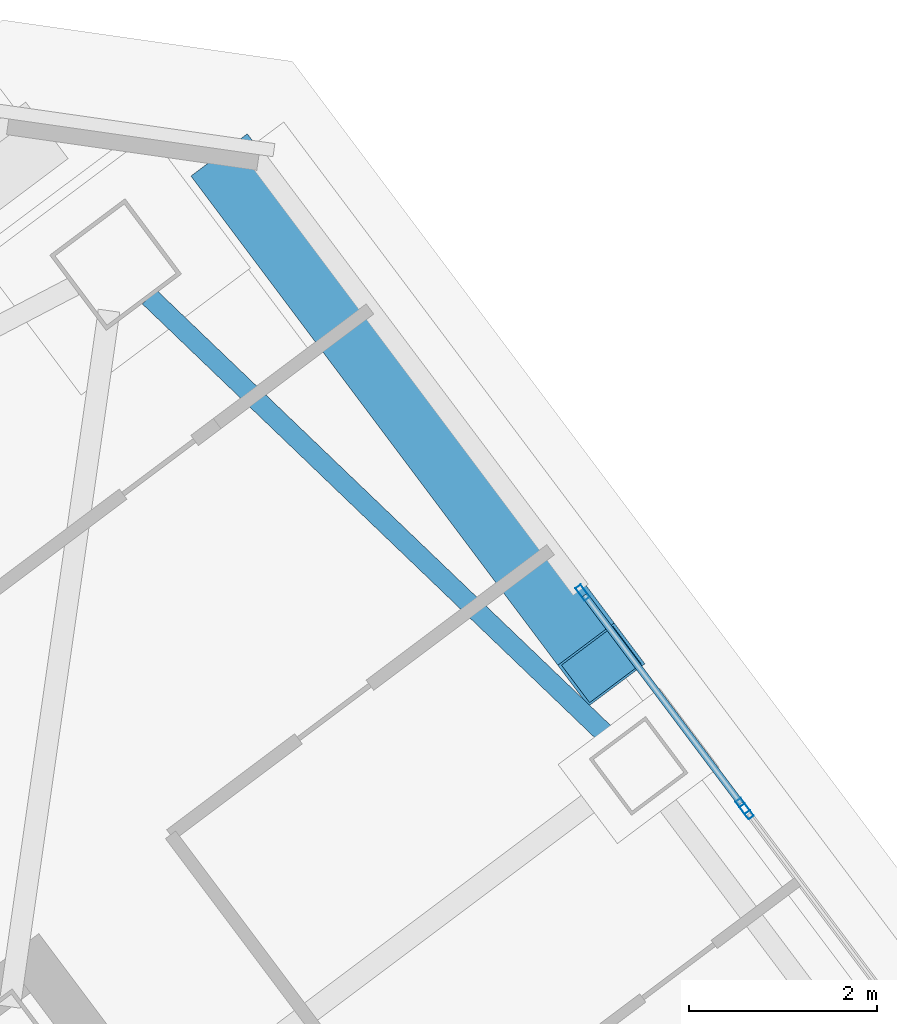
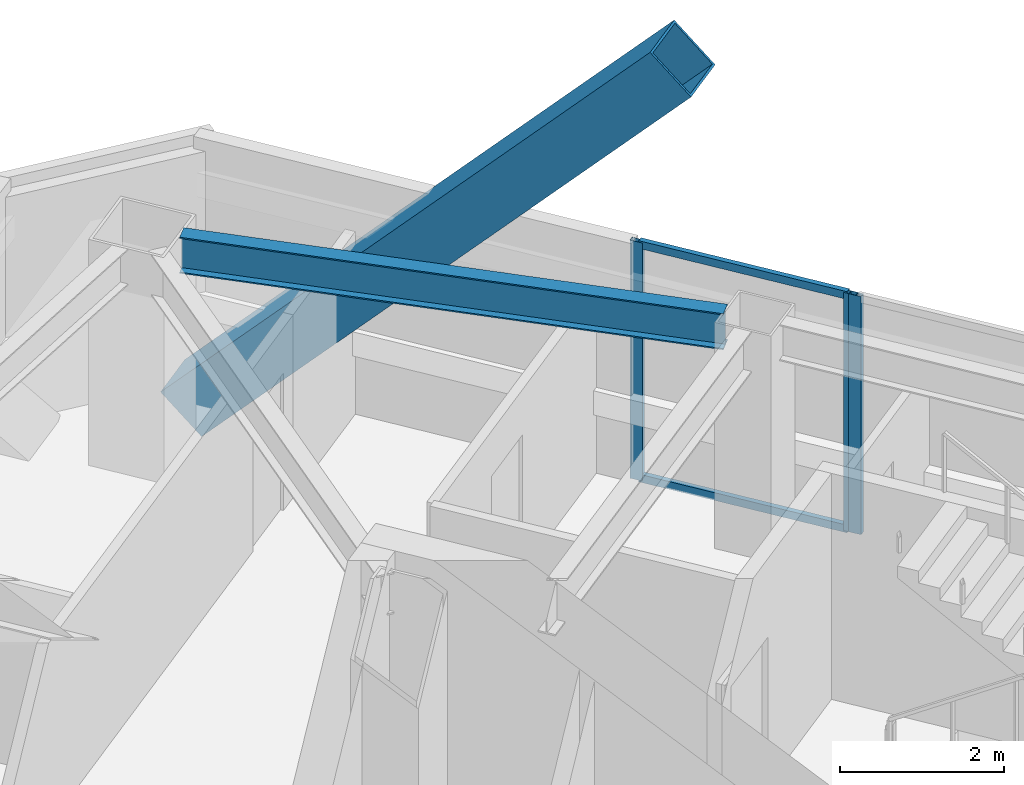
# One storey, part 28 of 39: 6 members, 1 beam, 2 elements without a shape of their own.
"""IFC4 building model written with IfcOpenShell, lengths in metres."""

import ifcopenshell
import ifcopenshell.guid

model = None  # the IFC model being written
_history = None  # IfcOwnerHistory: only IFC2X3 demands one
_inside = {}  # id of a spatial element -> (the spatial element, [elements in it])
_under = {}  # id of a project, library or spatial element -> (it, [spatial elements below it])
_declared = {}  # id of a project -> (the project, [libraries it declares])
_typed = {}  # id of a type object -> (the type object, [elements of that type])
_made_of = {}  # id of a material, layer set ... -> (it, [elements and type objects made of it])


def new_model(schema):
    """Start an empty IFC model of exactly this schema.

    Asked for "IFC4X3", IfcOpenShell would pick the latest addendum, in which some entities
    have other attributes; the version numbers below select the first issue.
    IFC2X3 requires an IfcOwnerHistory on every rooted entity: one is made here for all.
    """
    global model, _history
    if schema == "IFC4X3":
        model = ifcopenshell.file(schema_version=(4, 3, 0, 0))
    else:
        model = ifcopenshell.file(schema=schema)
    _inside.clear()
    _under.clear()
    _declared.clear()
    _typed.clear()
    _made_of.clear()
    _history = None
    if model.schema == "IFC2X3":
        org = make("IfcOrganization", Name="unknown")
        user = make(
            "IfcPersonAndOrganization",
            ThePerson=make("IfcPerson", FamilyName="unknown"),
            TheOrganization=org,
        )
        app = make(
            "IfcApplication",
            ApplicationDeveloper=org,
            Version="unknown",
            ApplicationFullName="unknown",
            ApplicationIdentifier="unknown",
        )
        _history = make(
            "IfcOwnerHistory",
            OwningUser=user,
            OwningApplication=app,
            ChangeAction="ADDED",
            CreationDate=0,
        )
    return model


def make(cls, **values):
    """One entity of the class cls with the attributes given. An attribute that is None is left unset."""
    return model.create_entity(
        cls, **{name: value for name, value in values.items() if value is not None}
    )


def rooted(cls, **values):
    """An entity with a GlobalId (a new one), such as an element, a storey or a relation."""
    return make(cls, GlobalId=ifcopenshell.guid.new(), OwnerHistory=_history, **values)


def si_unit(unit_type, name, prefix=None):
    """IfcSIUnit, for example si_unit("LENGTHUNIT", "METRE", prefix="MILLI")."""
    return make("IfcSIUnit", UnitType=unit_type, Prefix=prefix, Name=name)


def assignment(units):
    """IfcUnitAssignment: the units of a project."""
    return None if units is None else make("IfcUnitAssignment", Units=units)


def point(xyz):
    """IfcCartesianPoint."""
    return None if xyz is None else make("IfcCartesianPoint", Coordinates=xyz)


def direction(xyz):
    """IfcDirection."""
    return None if xyz is None else make("IfcDirection", DirectionRatios=xyz)


def frame(location, z_axis=None, x_axis=None):
    """IfcAxis2Placement3D, a coordinate frame: its origin and axes. An axis left out is left unset."""
    return make(
        "IfcAxis2Placement3D",
        Location=point(location),
        Axis=direction(z_axis),
        RefDirection=direction(x_axis),
    )


def frame_2d(location, x_axis=None):
    """IfcAxis2Placement2D, a coordinate frame in the plane: its origin and x axis."""
    return make(
        "IfcAxis2Placement2D", Location=point(location), RefDirection=direction(x_axis)
    )


def origin():
    """The frame at (0, 0, 0) with its axes left unset."""
    return frame((0.0, 0.0, 0.0))


def origin_2d():
    """The frame at (0, 0) in the plane with its x axis left unset."""
    return frame_2d((0.0, 0.0))


def place(relative_to, where):
    """IfcLocalPlacement: puts the frame where relative to a parent placement (None: the world)."""
    return make(
        "IfcLocalPlacement", PlacementRelTo=relative_to, RelativePlacement=where
    )


def context(
    kind, dimensions, precision=None, world=None, true_north=None, identifier=None
):
    """IfcGeometricRepresentationContext, for example the 3D "Model" context."""
    return make(
        "IfcGeometricRepresentationContext",
        ContextIdentifier=identifier,
        ContextType=kind,
        CoordinateSpaceDimension=dimensions,
        Precision=precision,
        WorldCoordinateSystem=world,
        TrueNorth=true_north,
    )


def subcontext(parent, identifier, kind, view, scale=None):
    """IfcGeometricRepresentationSubContext, for example "Body" below "Model"."""
    return make(
        "IfcGeometricRepresentationSubContext",
        ContextIdentifier=identifier,
        ContextType=kind,
        ParentContext=parent,
        TargetScale=scale,
        TargetView=view,
    )


def project(units=None, contexts=None):
    """IfcProject with its units and contexts."""
    return rooted(
        "IfcProject",
        Name="project",
        RepresentationContexts=contexts,
        UnitsInContext=assignment(units),
    )


def spatial(cls, under=None, at=None, **own):
    """A site, building, storey or space (cls), placed at a placement, below another one or the project."""
    s = rooted(cls, ObjectPlacement=at, **own)
    if under is not None:
        _under.setdefault(under.id(), (under, []))[1].append(s)
    return s


def profile(cls, at=None, kind="AREA", **sizes):
    """A parametric profile (cls). Its sizes go by their IFC names, for example OverallWidth=200.0."""
    return make(cls, ProfileType=kind, Position=at, **sizes)


def hollow_rectangle(**sizes):
    """IfcRectangleHollowProfileDef."""
    return profile("IfcRectangleHollowProfileDef", **sizes)


def i_section(**sizes):
    """IfcIShapeProfileDef."""
    return profile("IfcIShapeProfileDef", **sizes)


def extrude(swept, where, along, depth):
    """IfcExtrudedAreaSolid: the profile swept, set in the frame where, extruded along a direction by depth."""
    return make(
        "IfcExtrudedAreaSolid",
        SweptArea=swept,
        Position=where,
        ExtrudedDirection=direction(along),
        Depth=depth,
    )


def shape(context_of_items, identifier, shape_type, items):
    """IfcShapeRepresentation: the items that make up one representation, for example the "Body"."""
    return make(
        "IfcShapeRepresentation",
        ContextOfItems=context_of_items,
        RepresentationIdentifier=identifier,
        RepresentationType=shape_type,
        Items=items,
    )


def material(Name=None, Category=None):
    """IfcMaterial."""
    return make("IfcMaterial", Name=Name, Category=Category)


def material_profile(
    of_material, cross_section, Name=None, Category=None, Priority=None
):
    """IfcMaterialProfile: a cross section and its material."""
    return make(
        "IfcMaterialProfile",
        Name=Name,
        Material=of_material,
        Profile=cross_section,
        Priority=Priority,
        Category=Category,
    )


def profile_set(profiles, Name=None, composite=None):
    """IfcMaterialProfileSet."""
    return make(
        "IfcMaterialProfileSet",
        Name=Name,
        MaterialProfiles=profiles,
        CompositeProfile=composite,
    )


def made_of(thing, what):
    """Note that an element or type object is made of a material, layer set ...; save() writes the relation."""
    if what is not None:
        _made_of.setdefault(what.id(), (what, []))[1].append(thing)
    return thing


def type_object(cls, material=None, **own):
    """A type object (cls), such as IfcWallType, which elements share."""
    return made_of(rooted(cls, **own), material)


def element(
    cls,
    number,
    at=None,
    inside=None,
    cuts=None,
    type_object=None,
    material=None,
    context=None,
    identifier="Body",
    shape_type=None,
    held_by="IfcProductDefinitionShape",
    body=None,
    shapes=None,
    **own,
):
    """One element of the class cls, such as IfcWall. Its Tag is "e" and its number.

    at: its placement. inside: the storey or other place that contains it. cuts: it is an
    opening in that element (IfcRelVoidsElement). A single representation is given by context,
    identifier, shape_type and body (its items); several are given by shapes. held_by: the class
    of the entity that holds the representations. save() writes the other relations.
    """
    e = rooted(cls, Tag="e%d" % number, ObjectPlacement=at, **own)
    if body is not None:
        shapes = [shape(context, identifier, shape_type, body)]
    if shapes is not None:
        e.Representation = make(held_by, Representations=shapes)
    if inside is not None:
        _inside.setdefault(inside.id(), (inside, []))[1].append(e)
    if cuts is not None:
        rooted(
            "IfcRelVoidsElement", RelatingBuildingElement=cuts, RelatedOpeningElement=e
        )
    if type_object is not None:
        _typed.setdefault(type_object.id(), (type_object, []))[1].append(e)
    return made_of(e, material)


def aggregate(whole, parts):
    """IfcRelAggregates: a whole, such as a stair, and the parts it consists of."""
    return rooted("IfcRelAggregates", RelatingObject=whole, RelatedObjects=parts)


def save(model, path):
    """Write the relations noted so far, then the file.

    IfcRelAggregates (storeys below a building ...), IfcRelContainedInSpatialStructure (elements
    in a storey), IfcRelDefinesByType, IfcRelAssociatesMaterial and IfcRelDeclares: one each for
    every whole, place, type object, material and project.
    """
    for whole, parts in _under.values():
        aggregate(whole, parts)
    for where, things in _inside.values():
        rooted(
            "IfcRelContainedInSpatialStructure",
            RelatedElements=things,
            RelatingStructure=where,
        )
    for kind, things in _typed.values():
        rooted("IfcRelDefinesByType", RelatedObjects=things, RelatingType=kind)
    for what, things in _made_of.values():
        rooted("IfcRelAssociatesMaterial", RelatedObjects=things, RelatingMaterial=what)
    for by, libraries in _declared.values():
        rooted("IfcRelDeclares", RelatingContext=by, RelatedDefinitions=libraries)
    model.write(path)


model = new_model("IFC4")

# Units and contexts
model_context = context("Model", 3, precision=1e-05, world=origin(), true_north=direction((0.0, 1.0)))
body_context = subcontext(model_context, "Body", "Model", "MODEL_VIEW")
ifc_project = project(units=[si_unit("LENGTHUNIT", "METRE"), si_unit("AREAUNIT", "SQUARE_METRE"), si_unit("VOLUMEUNIT", "CUBIC_METRE"), si_unit("PLANEANGLEUNIT", "RADIAN"), si_unit("MASSUNIT", "GRAM", prefix="KILO")], contexts=[model_context])

# Site, building, storey
site_placement = place(None, origin())
site = spatial("IfcSite", under=ifc_project, at=site_placement, CompositionType="ELEMENT")
building_placement = place(site_placement, origin())
building = spatial("IfcBuilding", under=site, at=building_placement, Name="Tashvorn Skyway Center", CompositionType="ELEMENT")
storey_placement = place(building_placement, frame((0.0, 0.0, 232.60009765625)))
storey = spatial("IfcBuildingStorey", under=building, at=storey_placement, Name="L63", CompositionType="ELEMENT", Elevation=232.60009765625)

# Beam
ifc_material_1 = material(Name="Steel ASTM A992 Grade 50", Category="steel")
ifc_material_profile_1 = material_profile(ifc_material_1, i_section(OverallWidth=0.2109375, OverallDepth=0.5390625, WebThickness=0.01171875, FlangeThickness=0.018798828125, at=origin_2d()), Name="W21X73")
ifc_profile_set_1 = profile_set([ifc_material_profile_1], Name="Steel ASTM A992 Grade 50")
beam_type = type_object("IfcBeamType", Name="BM-SPANDREL-W21X73", PredefinedType="SPANDREL", material=ifc_profile_set_1)
beam_placement = place(storey_placement, frame((121.892822265625, 45.1259765625, 3.100341796875), z_axis=(-0.72187522213, 0.69202323926, 0.0), x_axis=(-0.69202323926, -0.72187522213, 0.0)))
element("IfcBeam", 1, at=beam_placement, inside=storey, type_object=beam_type, Name="Tower 2 L63 Spandrel Beam 06", PredefinedType="SPANDREL", context=body_context, shape_type="SweptSolid", body=[
    extrude(i_section(OverallWidth=0.2109375, OverallDepth=0.5390625, WebThickness=0.01171875, FlangeThickness=0.018798828125, at=origin_2d()), origin(), (0.0, 0.0, 1.0), 6.837158203125),
])

# Curtain wall, members
ifc_material_2 = material(Name="Thermally broken bronze-anodized aluminium 6063-T6", Category="aluminium")
curtain_wall_type = type_object("IfcCurtainWallType", Name="CW-CW-Z5", PredefinedType="NOTDEFINED", material=ifc_material_2)
curtain_wall_1_placement = place(storey_placement, origin())
curtain_wall_1 = element("IfcCurtainWall", 2, at=curtain_wall_1_placement, inside=storey, type_object=curtain_wall_type, Name="Tower 2 L63 East Unitised Curtain Wall Glazing Group 1", PredefinedType="NOTDEFINED")
ifc_material_profile_2 = material_profile(ifc_material_2, hollow_rectangle(XDim=0.070068359375, YDim=0.1650390625, WallThickness=0.00390625, at=origin_2d()), Name="ALU-MULL-70x165")
ifc_profile_set_2 = profile_set([ifc_material_profile_2], Name="Thermally broken bronze-anodized aluminium 6063-T6")
member_type_1 = type_object("IfcMemberType", Name="CWM-CW-Z5", PredefinedType="MULLION", material=ifc_profile_set_2)
member_1_placement = place(storey_placement, frame((121.56494140625, 46.71337890625, 0.0), z_axis=(0.0, 0.0, 1.0), x_axis=(0.799995871508, 0.600005504617, 0.0)))
member_1 = element("IfcMember", 3, at=member_1_placement, type_object=member_type_1, Name="CW-Z5 mullion 1", PredefinedType="MULLION", context=body_context, shape_type="SweptSolid", body=[
    extrude(hollow_rectangle(XDim=0.070068359375, YDim=0.1650390625, WallThickness=0.00390625, at=origin_2d()), origin(), (0.0, 0.0, 1.0), 3.5498046875),
])
member_2_placement = place(storey_placement, frame((123.26708984375, 44.444091796875, 0.0), z_axis=(0.0, 0.0, 1.0), x_axis=(0.799995871508, 0.600005504617, 0.0)))
member_2 = element("IfcMember", 4, at=member_2_placement, type_object=member_type_1, Name="CW-Z5 mullion 2", PredefinedType="MULLION", context=body_context, shape_type="SweptSolid", body=[
    extrude(hollow_rectangle(XDim=0.070068359375, YDim=0.1650390625, WallThickness=0.00390625, at=origin_2d()), origin(), (0.0, 0.0, 1.0), 3.5498046875),
])

# Curtain wall, member
curtain_wall_2_placement = place(storey_placement, origin())
curtain_wall_2 = element("IfcCurtainWall", 5, at=curtain_wall_2_placement, inside=storey, type_object=curtain_wall_type, Name="Tower 2 L63 East Unitised Curtain Wall Glazing Group 2", PredefinedType="NOTDEFINED")
member_3_placement = place(storey_placement, frame((123.30908203125, 44.387939453125, 0.0), z_axis=(0.0, 0.0, 1.0), x_axis=(0.799999999998, 0.600000000002, 0.0)))
member_3 = element("IfcMember", 6, at=member_3_placement, type_object=member_type_1, Name="CW-Z5 mullion 1", PredefinedType="MULLION", context=body_context, shape_type="SweptSolid", body=[
    extrude(hollow_rectangle(XDim=0.070068359375, YDim=0.1650390625, WallThickness=0.00390625, at=origin_2d()), origin(), (0.0, 0.0, 1.0), 3.5498046875),
])
aggregate(curtain_wall_2, [member_3])

# Member
ifc_material_profile_3 = material_profile(ifc_material_2, hollow_rectangle(XDim=0.070068359375, YDim=0.114990234375, WallThickness=0.00390625, at=origin_2d()), Name="ALU-TRAN-70x115")
ifc_profile_set_3 = profile_set([ifc_material_profile_3], Name="Thermally broken bronze-anodized aluminium 6063-T6")
member_type_2 = type_object("IfcMemberType", Name="CWT-CW-Z5", PredefinedType="USERDEFINED", material=ifc_profile_set_3)
member_4_placement = place(storey_placement, frame((121.5859375, 46.685302734375, 0.034912109375), z_axis=(0.600028236249, -0.799978822035, 0.0), x_axis=(0.799978822035, 0.600028236249, 0.0)))
member_4 = element("IfcMember", 7, at=member_4_placement, type_object=member_type_2, Name="CW-Z5 transom 1.1", ObjectType="TRANSOM", PredefinedType="USERDEFINED", context=body_context, shape_type="SweptSolid", body=[
    extrude(hollow_rectangle(XDim=0.070068359375, YDim=0.114990234375, WallThickness=0.00390625, at=origin_2d()), origin(), (0.0, 0.0, 1.0), 2.766845703125),
])

member_5_placement = place(storey_placement, frame((121.5859375, 46.685302734375, 3.514892578125), z_axis=(0.600028236249, -0.799978822035, 0.0), x_axis=(0.799978822035, 0.600028236249, 0.0)))
member_5 = element("IfcMember", 8, at=member_5_placement, type_object=member_type_2, Name="CW-Z5 transom 1.2", ObjectType="TRANSOM", PredefinedType="USERDEFINED", context=body_context, shape_type="SweptSolid", body=[
    extrude(hollow_rectangle(XDim=0.070068359375, YDim=0.114990234375, WallThickness=0.00390625, at=origin_2d()), origin(), (0.0, 0.0, 1.0), 2.766845703125),
])

aggregate(curtain_wall_1, [member_1, member_2, member_4, member_5])

ifc_material_3 = material(Name="Steel ASTM A572 Grade 50", Category="steel")
ifc_material_profile_4 = material_profile(ifc_material_3, hollow_rectangle(XDim=0.75, YDim=0.75, WallThickness=0.031982421875, at=origin_2d()), Name="BOX750x750x32")
ifc_profile_set_4 = profile_set([ifc_material_profile_4], Name="Steel ASTM A572 Grade 50")
member_type_3 = type_object("IfcMemberType", Name="MEM-MB-750", PredefinedType="BRACE", material=ifc_profile_set_4)
member_6_placement = place(storey_placement, frame((117.864013671875, 51.14794921875, -0.2001953125), z_axis=(0.412988629158, -0.550660123478, 0.725405969508), x_axis=(0.800004507257, 0.599993990277, 0.0)))
element("IfcMember", 9, at=member_6_placement, inside=storey, type_object=member_type_3, Name="Tower 2 Zone 6 E Chevron Mega-Brace R1", PredefinedType="BRACE", context=body_context, shape_type="SweptSolid", body=[
    extrude(hollow_rectangle(XDim=0.75, YDim=0.75, WallThickness=0.031982421875, at=origin_2d()), origin(), (0.0, 0.0, 1.0), 9.443115234375),
])

save(model, "model.ifc")
